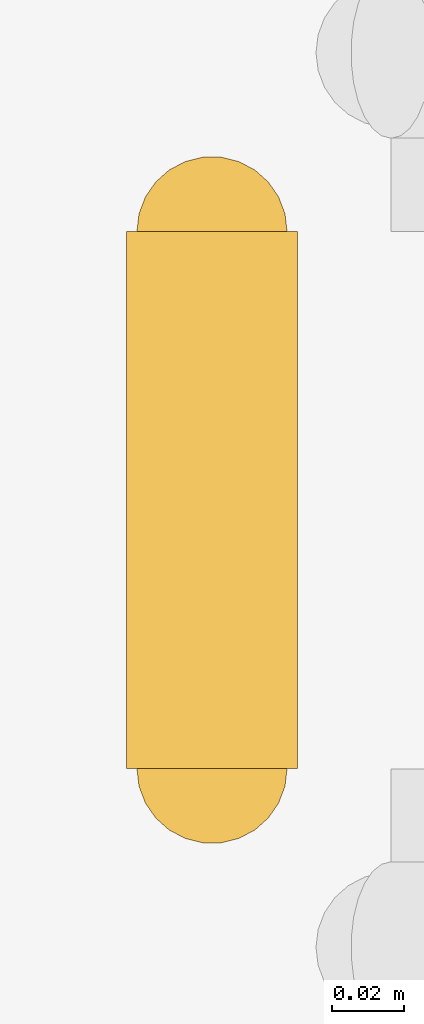
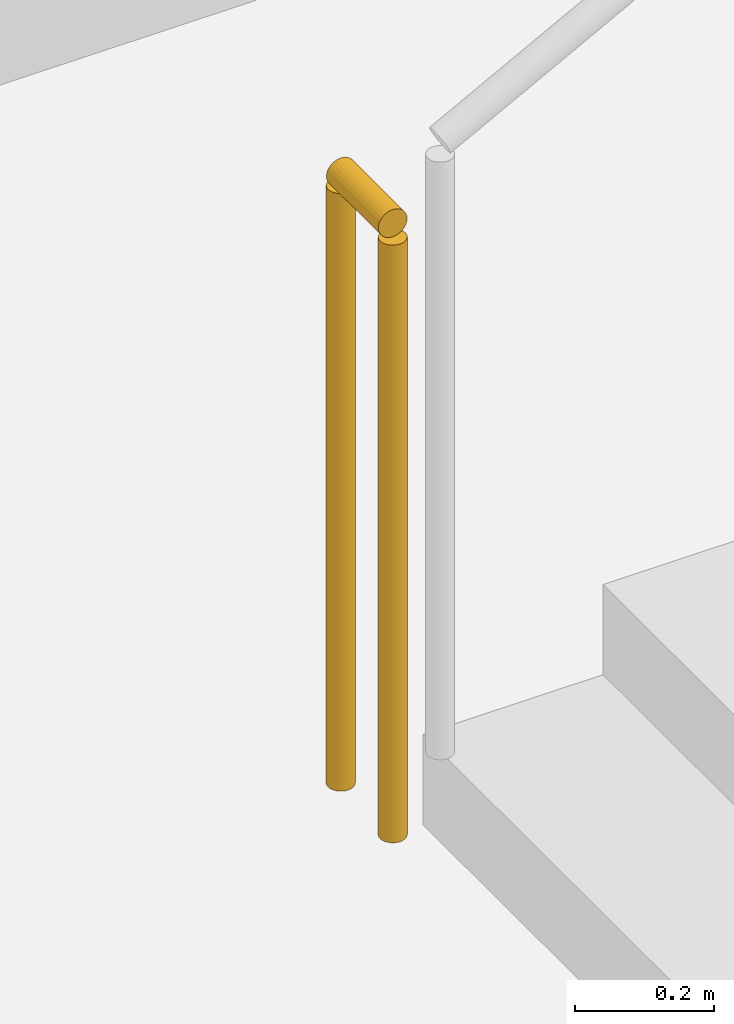
# One storey, part 78 of 84: 1 railing.
"""IFC4 building model written with IfcOpenShell, lengths in metres."""

from ifc_helpers import new_model, si_unit, direction, frame, origin, origin_2d, place, context, subcontext, project, spatial, circle, extrude, material, type_object, element, save


model = new_model("IFC4")

# Units and contexts
model_context = context("Model", 3, precision=1e-05, world=origin(), true_north=direction((0.0, 1.0)))
body_context = subcontext(model_context, "Body", "Model", "MODEL_VIEW")
ifc_project = project(units=[si_unit("LENGTHUNIT", "METRE"), si_unit("AREAUNIT", "SQUARE_METRE"), si_unit("VOLUMEUNIT", "CUBIC_METRE"), si_unit("PLANEANGLEUNIT", "RADIAN"), si_unit("MASSUNIT", "GRAM", prefix="KILO")], contexts=[model_context])

# Site, building, storey
site_placement = place(None, origin())
site = spatial("IfcSite", under=ifc_project, at=site_placement, CompositionType="ELEMENT")
building_placement = place(site_placement, origin())
building = spatial("IfcBuilding", under=site, at=building_placement, Name="Zevrakil Square Congress Hotel", CompositionType="ELEMENT")
storey_placement = place(building_placement, origin())
storey = spatial("IfcBuildingStorey", under=building, at=storey_placement, Name="L01", CompositionType="ELEMENT", Elevation=0.0)

# Railing
ifc_material = material(Name="Steel S355", Category="steel")
railing_type = type_object("IfcRailingType", Name="RLG-STAIR-GUARD-1100", PredefinedType="BALUSTRADE", material=ifc_material)
railing_placement = place(storey_placement, frame((120.14990234375, 106.60009765625, 0.0)))
element("IfcRailing", 1, at=railing_placement, inside=storey, type_object=railing_type, Name="L01 ST11 stair guard 4", PredefinedType="BALUSTRADE", context=body_context, shape_type="SweptSolid", body=[
    extrude(circle(Radius=0.02392578125, at=origin_2d()), frame((0.0, 0.0, 1.076171875), z_axis=(0.0, 1.0, 0.0), x_axis=(-1.0, 0.0, 0.0)), (0.0, 0.0, 1.0), 0.14990234375),
    extrude(circle(Radius=0.02099609375, at=origin_2d()), origin(), (0.0, 0.0, 1.0), 1.052001953125),
    extrude(circle(Radius=0.02099609375, at=origin_2d()), frame((0.0, 0.14990234375, 0.0)), (0.0, 0.0, 1.0), 1.052001953125),
])

save(model, "model.ifc")
